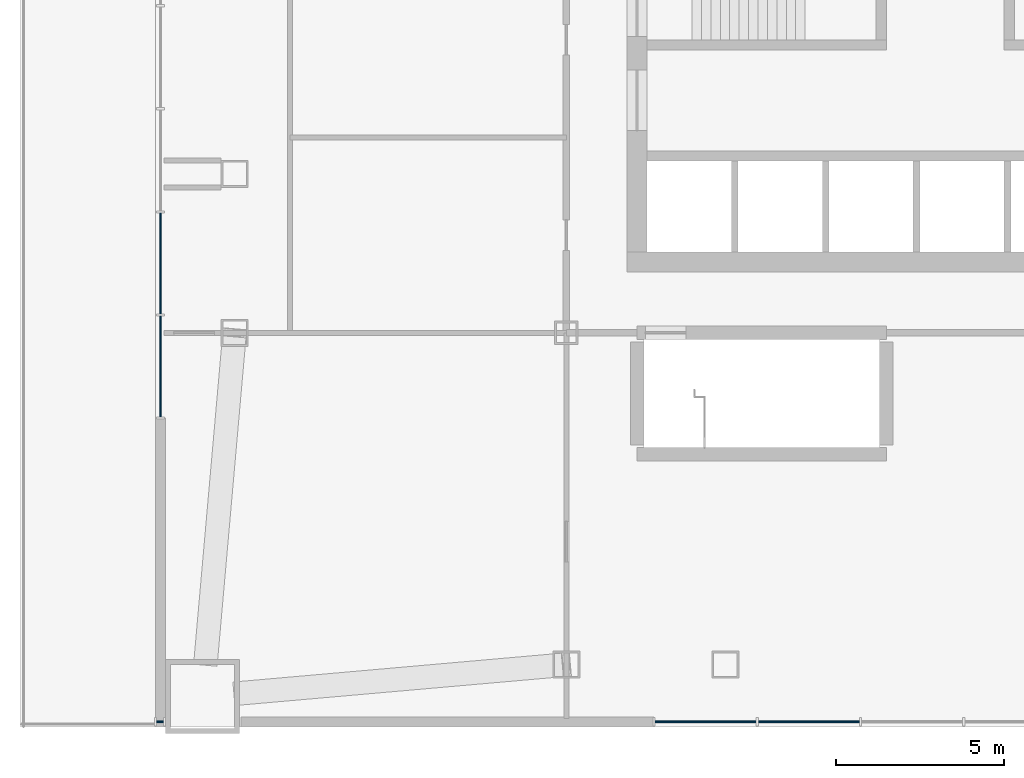
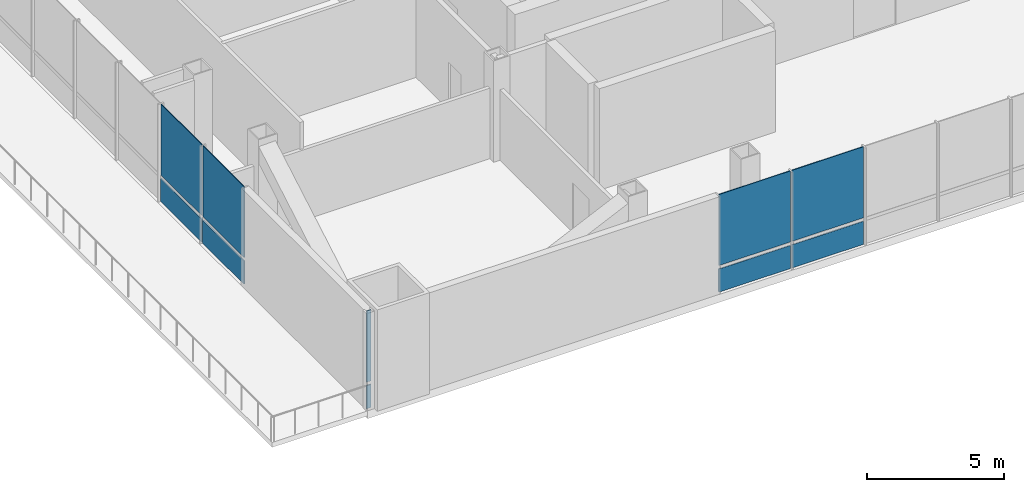
# One storey, part 8 of 15: 10 plates, 3 elements without a shape of their own.
"""IFC4 building model written with IfcOpenShell, lengths in metres."""

from ifc_helpers import new_model, si_unit, direction, frame, origin, origin_2d, place, context, subcontext, project, spatial, rectangle, extrude, material, layer, layer_set, type_object, element, aggregate, save


model = new_model("IFC4")

# Units and contexts
model_context = context("Model", 3, precision=1e-05, world=origin(), true_north=direction((0.0, 1.0)))
body_context = subcontext(model_context, "Body", "Model", "MODEL_VIEW")
ifc_project = project(units=[si_unit("LENGTHUNIT", "METRE"), si_unit("AREAUNIT", "SQUARE_METRE"), si_unit("VOLUMEUNIT", "CUBIC_METRE"), si_unit("PLANEANGLEUNIT", "RADIAN"), si_unit("MASSUNIT", "GRAM", prefix="KILO")], contexts=[model_context])

# Site, building, storey
site_placement = place(None, origin())
site = spatial("IfcSite", under=ifc_project, at=site_placement, CompositionType="ELEMENT")
building_placement = place(site_placement, origin())
building = spatial("IfcBuilding", under=site, at=building_placement, Name="Turquesa Mirador Hotel Tower", CompositionType="ELEMENT")
storey_placement = place(building_placement, frame((0.0, 0.0, 20.5)))
storey = spatial("IfcBuildingStorey", under=building, at=storey_placement, Name="L04", CompositionType="ELEMENT", Elevation=20.5)

# Curtain wall, plate
ifc_material_1 = material(Name="Aluminium extrusion", Category="aluminium")
curtain_wall_type = type_object("IfcCurtainWallType", Name="CW-3 PODIUM UPPER CURTAIN WALL", PredefinedType="USERDEFINED", material=ifc_material_1)
curtain_wall_1_placement = place(storey_placement, origin())
curtain_wall_1 = element("IfcCurtainWall", 1, at=curtain_wall_1_placement, inside=storey, type_object=curtain_wall_type, Name="CW-3 PODIUM UPPER CURTAIN WALL L04", ObjectType="CURTAIN WALL", PredefinedType="USERDEFINED")
ifc_material_2 = material(Name="Ceramic-printed spandrel glass on an insulated back pan", Category="glass")
ifc_layer_1 = layer(ifc_material_2, 0.050048828125)
ifc_layer_set_1 = layer_set([ifc_layer_1], Name="CW PANEL SPANDREL CERAMIC")
plate_type_1 = type_object("IfcPlateType", Name="CW PANEL SPANDREL CERAMIC", PredefinedType="CURTAIN_PANEL", material=ifc_layer_set_1)
plate_1_placement = place(storey_placement, frame((31.1328125, 21.64990234375, 0.0), z_axis=(0.0, 0.0, 1.0), x_axis=(1.0, 0.0, 0.0)))
plate_1 = element("IfcPlate", 2, at=plate_1_placement, type_object=plate_type_1, Name="Panel", PredefinedType="CURTAIN_PANEL", context=body_context, shape_type="SweptSolid", body=[
    extrude(rectangle(XDim=0.200439453125, YDim=0.050048828125, at=origin_2d()), origin(), (0.0, 0.0, 1.0), 1.02490234375),
])

# Curtain wall, plates
curtain_wall_2_placement = place(storey_placement, origin())
curtain_wall_2 = element("IfcCurtainWall", 3, at=curtain_wall_2_placement, inside=storey, type_object=curtain_wall_type, Name="CW-3 PODIUM UPPER CURTAIN WALL L04", ObjectType="CURTAIN WALL", PredefinedType="USERDEFINED")
plate_2_placement = place(storey_placement, frame((47.333740234375, 21.64990234375, 0.0), z_axis=(0.0, 0.0, 1.0), x_axis=(1.0, 0.0, 0.0)))
plate_2 = element("IfcPlate", 4, at=plate_2_placement, type_object=plate_type_1, Name="Panel", PredefinedType="CURTAIN_PANEL", context=body_context, shape_type="SweptSolid", body=[
    extrude(rectangle(XDim=3.00146484375, YDim=0.050048828125, at=origin_2d()), origin(), (0.0, 0.0, 1.0), 1.02490234375),
])
plate_3_placement = place(storey_placement, frame((50.400146484375, 21.64990234375, 0.0), z_axis=(0.0, 0.0, 1.0), x_axis=(1.0, 0.0, 0.0)))
plate_3 = element("IfcPlate", 5, at=plate_3_placement, type_object=plate_type_1, Name="Panel", PredefinedType="CURTAIN_PANEL", context=body_context, shape_type="SweptSolid", body=[
    extrude(rectangle(XDim=3.00146484375, YDim=0.050048828125, at=origin_2d()), origin(), (0.0, 0.0, 1.0), 1.02490234375),
])

curtain_wall_3_placement = place(storey_placement, origin())
curtain_wall_3 = element("IfcCurtainWall", 6, at=curtain_wall_3_placement, inside=storey, type_object=curtain_wall_type, Name="CW-3 PODIUM UPPER CURTAIN WALL L04", ObjectType="CURTAIN WALL", PredefinedType="USERDEFINED")
plate_4_placement = place(storey_placement, frame((31.14990234375, 35.262451171875, 0.0), z_axis=(0.0, 0.0, 1.0), x_axis=(0.0, -1.0, 0.0)))
plate_4 = element("IfcPlate", 7, at=plate_4_placement, type_object=plate_type_1, Name="Panel", PredefinedType="CURTAIN_PANEL", context=body_context, shape_type="SweptSolid", body=[
    extrude(rectangle(XDim=2.993408203125, YDim=0.050048828125, at=origin_2d()), origin(), (0.0, 0.0, 1.0), 1.02490234375),
])
plate_5_placement = place(storey_placement, frame((31.14990234375, 32.2041015625, 0.0), z_axis=(0.0, 0.0, 1.0), x_axis=(0.0, -1.0, 0.0)))
plate_5 = element("IfcPlate", 8, at=plate_5_placement, type_object=plate_type_1, Name="Panel", PredefinedType="CURTAIN_PANEL", context=body_context, shape_type="SweptSolid", body=[
    extrude(rectangle(XDim=2.993408203125, YDim=0.050048828125, at=origin_2d()), origin(), (0.0, 0.0, 1.0), 1.02490234375),
])

# Plate
ifc_material_3 = material(Name="Ceramic-fritted laminated glass", Category="glass")
ifc_layer_2 = layer(ifc_material_3, 0.031982421875)
ifc_layer_set_2 = layer_set([ifc_layer_2], Name="CW PANEL VISION FRITTED")
plate_type_2 = type_object("IfcPlateType", Name="CW PANEL VISION FRITTED", PredefinedType="CURTAIN_PANEL", material=ifc_layer_set_2)
plate_6_placement = place(storey_placement, frame((31.1328125, 21.64990234375, 1.1748046875), z_axis=(0.0, 0.0, 1.0), x_axis=(1.0, 0.0, 0.0)))
plate_6 = element("IfcPlate", 9, at=plate_6_placement, type_object=plate_type_2, Name="Panel", PredefinedType="CURTAIN_PANEL", context=body_context, shape_type="SweptSolid", body=[
    extrude(rectangle(XDim=0.200439453125, YDim=0.031982421875, at=origin_2d()), origin(), (0.0, 0.0, 1.0), 3.155029296875),
])

aggregate(curtain_wall_1, [plate_1, plate_6])

plate_7_placement = place(storey_placement, frame((47.333740234375, 21.64990234375, 1.1748046875), z_axis=(0.0, 0.0, 1.0), x_axis=(1.0, 0.0, 0.0)))
plate_7 = element("IfcPlate", 10, at=plate_7_placement, type_object=plate_type_2, Name="Panel", PredefinedType="CURTAIN_PANEL", context=body_context, shape_type="SweptSolid", body=[
    extrude(rectangle(XDim=3.00146484375, YDim=0.031982421875, at=origin_2d()), origin(), (0.0, 0.0, 1.0), 3.155029296875),
])

plate_8_placement = place(storey_placement, frame((50.400146484375, 21.64990234375, 1.1748046875), z_axis=(0.0, 0.0, 1.0), x_axis=(1.0, 0.0, 0.0)))
plate_8 = element("IfcPlate", 11, at=plate_8_placement, type_object=plate_type_2, Name="Panel", PredefinedType="CURTAIN_PANEL", context=body_context, shape_type="SweptSolid", body=[
    extrude(rectangle(XDim=3.00146484375, YDim=0.031982421875, at=origin_2d()), origin(), (0.0, 0.0, 1.0), 3.155029296875),
])

aggregate(curtain_wall_2, [plate_2, plate_7, plate_3, plate_8])

plate_9_placement = place(storey_placement, frame((31.14990234375, 35.262451171875, 1.1748046875), z_axis=(0.0, 0.0, 1.0), x_axis=(0.0, -1.0, 0.0)))
plate_9 = element("IfcPlate", 12, at=plate_9_placement, type_object=plate_type_2, Name="Panel", PredefinedType="CURTAIN_PANEL", context=body_context, shape_type="SweptSolid", body=[
    extrude(rectangle(XDim=2.993408203125, YDim=0.031982421875, at=origin_2d()), origin(), (0.0, 0.0, 1.0), 3.155029296875),
])

plate_10_placement = place(storey_placement, frame((31.14990234375, 32.2041015625, 1.1748046875), z_axis=(0.0, 0.0, 1.0), x_axis=(0.0, -1.0, 0.0)))
plate_10 = element("IfcPlate", 13, at=plate_10_placement, type_object=plate_type_2, Name="Panel", PredefinedType="CURTAIN_PANEL", context=body_context, shape_type="SweptSolid", body=[
    extrude(rectangle(XDim=2.993408203125, YDim=0.031982421875, at=origin_2d()), origin(), (0.0, 0.0, 1.0), 3.155029296875),
])

aggregate(curtain_wall_3, [plate_4, plate_9, plate_5, plate_10])

save(model, "model.ifc")
